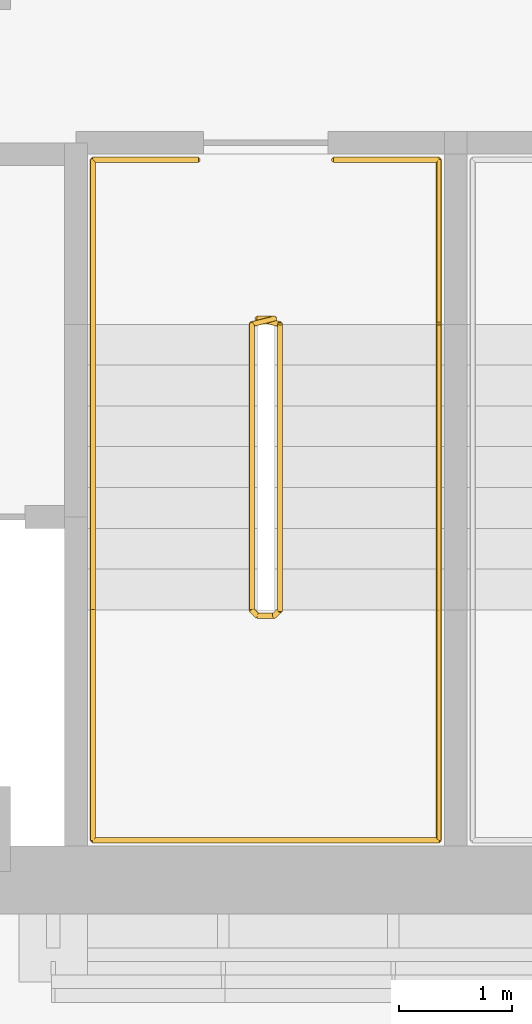
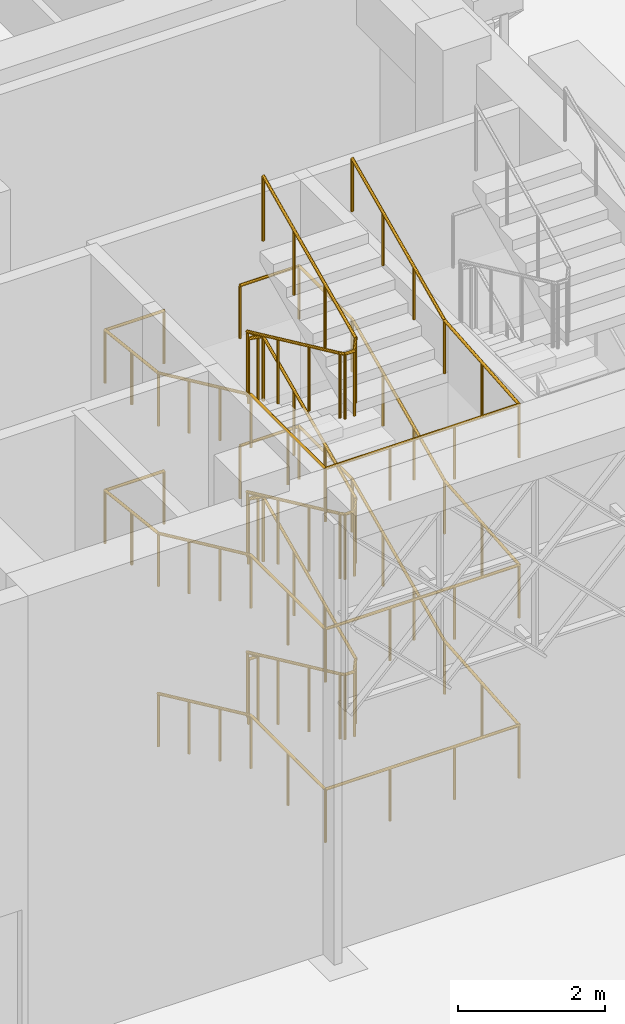
# One storey, part 48 of 64: 4 railings.
"""IFC4 building model written with IfcOpenShell, lengths in metres."""

from ifc_helpers import new_model, si_unit, direction, frame, origin, origin_2d, place, context, subcontext, project, spatial, circle, extrude, material, type_object, element, save


model = new_model("IFC4")

# Units and contexts
model_context = context("Model", 3, precision=1e-05, world=origin(), true_north=direction((0.0, 1.0)))
body_context = subcontext(model_context, "Body", "Model", "MODEL_VIEW")
ifc_project = project(units=[si_unit("LENGTHUNIT", "METRE"), si_unit("AREAUNIT", "SQUARE_METRE"), si_unit("VOLUMEUNIT", "CUBIC_METRE"), si_unit("PLANEANGLEUNIT", "RADIAN"), si_unit("MASSUNIT", "GRAM", prefix="KILO")], contexts=[model_context])

# Site, building, storey
site_placement = place(None, origin())
site = spatial("IfcSite", under=ifc_project, at=site_placement, CompositionType="ELEMENT")
building_placement = place(site_placement, origin())
building = spatial("IfcBuilding", under=site, at=building_placement, Name="Tessera Arch", CompositionType="ELEMENT")
storey_placement = place(building_placement, origin())
storey = spatial("IfcBuildingStorey", under=building, at=storey_placement, Name="L00", CompositionType="ELEMENT", Elevation=0.0)

# Railings
ifc_material_1 = material(Name="Painted steel balustrade", Category="steel")
railing_type_1 = type_object("IfcRailingType", Name="Stair guard 1100", PredefinedType="GUARDRAIL", material=ifc_material_1)
railing_1_placement = place(storey_placement, frame((8.25, -27.300048828125, 0.0)))
element("IfcRailing", 1, at=railing_1_placement, inside=storey, type_object=railing_type_1, Name="L00 M3b stair guard 1", PredefinedType="GUARDRAIL", context=body_context, shape_type="SweptSolid", body=[
    extrude(circle(Radius=0.02392578125, at=origin_2d()), frame((-0.00390625, 0.0, 1.076171875), z_axis=(1.0, 0.0, 0.0), x_axis=(0.0, 1.0, 0.0)), (0.0, 0.0, 1.0), 0.157958984375),
    extrude(circle(Radius=0.02392578125, at=origin_2d()), frame((0.15283203125, 0.000732421875, 1.073486328125), z_axis=(-0.754182335027, -0.188775798145, 0.628945707965), x_axis=(0.242814311512, -0.970072785993, 0.0)), (0.0, 0.0, 1.0), 0.273193359375),
    extrude(circle(Radius=0.02392578125, at=origin_2d()), frame((-0.050048828125, -0.04638671875, 1.2412109375), z_axis=(0.0, -0.907490492863, 0.420072619153), x_axis=(1.0, 0.0, 0.0)), (0.0, 0.0, 1.0), 2.784912109375),
    extrude(circle(Radius=0.02392578125, at=origin_2d()), frame((-0.052978515625, -2.567138671875, 2.4091796875), z_axis=(0.708833529934, -0.705375805398, 0.0), x_axis=(0.705375805398, 0.708833529934, 0.0)), (0.0, 0.0, 1.0), 0.07861328125),
    extrude(circle(Radius=0.02392578125, at=origin_2d()), frame((-0.00390625, -2.619873046875, 2.4091796875), z_axis=(1.0, 0.0, 0.0), x_axis=(0.0, 1.0, 0.0)), (0.0, 0.0, 1.0), 0.157958984375),
    extrude(circle(Radius=0.02392578125, at=origin_2d()), frame((0.148681640625, -2.62109375, 2.405517578125), z_axis=(0.276389281352, 0.275041040955, 0.920848191041), x_axis=(-0.705375805398, 0.708833529934, 0.0)), (0.0, 0.0, 1.0), 0.18896484375),
    extrude(circle(Radius=0.02392578125, at=origin_2d()), frame((0.199951171875, -2.57373046875, 2.574462890625), z_axis=(0.0, 0.907456975791, 0.420145019115), x_axis=(-1.0, 0.0, 0.0)), (0.0, 0.0, 1.0), 2.784912109375),
    extrude(circle(Radius=0.02392578125, at=origin_2d()), frame((0.203857421875, -0.051025390625, 3.74267578125), z_axis=(-0.970072785993, 0.242814311512, 0.0), x_axis=(-0.242814311512, -0.970072785993, 0.0)), (0.0, 0.0, 1.0), 0.214111328125),
    extrude(circle(Radius=0.02392578125, at=origin_2d()), frame((-0.00390625, 0.0, 3.74267578125), z_axis=(1.0, 0.0, 0.0), x_axis=(0.0, 1.0, 0.0)), (0.0, 0.0, 1.0), 0.157958984375),
    extrude(circle(Radius=0.02392578125, at=origin_2d()), frame((0.15283203125, 0.000732421875, 3.740234375), z_axis=(-0.754619193878, -0.188885146209, 0.628388632753), x_axis=(0.242814311512, -0.970072785993, 0.0)), (0.0, 0.0, 1.0), 0.27294921875),
    extrude(circle(Radius=0.02392578125, at=origin_2d()), frame((-0.050048828125, -0.04638671875, 3.90771484375), z_axis=(0.0, -0.907456975791, 0.420145019115), x_axis=(1.0, 0.0, 0.0)), (0.0, 0.0, 1.0), 2.784912109375),
    extrude(circle(Radius=0.02392578125, at=origin_2d()), frame((-0.052978515625, -2.567138671875, 5.076171875), z_axis=(0.708833529934, -0.705375805398, 0.0), x_axis=(0.705375805398, 0.708833529934, 0.0)), (0.0, 0.0, 1.0), 0.07861328125),
    extrude(circle(Radius=0.02392578125, at=origin_2d()), frame((-0.00390625, -2.619873046875, 5.076171875), z_axis=(1.0, 0.0, 0.0), x_axis=(0.0, 1.0, 0.0)), (0.0, 0.0, 1.0), 0.157958984375),
    extrude(circle(Radius=0.02392578125, at=origin_2d()), frame((0.148681640625, -2.62109375, 5.072265625), z_axis=(0.276389281352, 0.275041040955, 0.920848191041), x_axis=(-0.705375805398, 0.708833529934, 0.0)), (0.0, 0.0, 1.0), 0.18896484375),
    extrude(circle(Radius=0.02392578125, at=origin_2d()), frame((0.199951171875, -2.57373046875, 5.2412109375), z_axis=(0.0, 0.907490492863, 0.420072619153), x_axis=(-1.0, 0.0, 0.0)), (0.0, 0.0, 1.0), 2.784912109375),
    extrude(circle(Radius=0.02392578125, at=origin_2d()), frame((0.203857421875, -0.051025390625, 6.4091796875), z_axis=(-0.970072785993, 0.242814311512, 0.0), x_axis=(-0.242814311512, -0.970072785993, 0.0)), (0.0, 0.0, 1.0), 0.214111328125),
    extrude(circle(Radius=0.02392578125, at=origin_2d()), frame((-0.00390625, 0.0, 6.4091796875), z_axis=(1.0, 0.0, 0.0), x_axis=(0.0, 1.0, 0.0)), (0.0, 0.0, 1.0), 0.157958984375),
    extrude(circle(Radius=0.02392578125, at=origin_2d()), frame((0.15283203125, 0.000732421875, 6.40673828125), z_axis=(-0.754182335027, -0.188775798145, 0.628945707965), x_axis=(0.242814311512, -0.970072785993, 0.0)), (0.0, 0.0, 1.0), 0.273193359375),
    extrude(circle(Radius=0.02392578125, at=origin_2d()), frame((-0.050048828125, -0.04638671875, 6.574462890625), z_axis=(0.0, -0.907456975791, 0.420145019115), x_axis=(1.0, 0.0, 0.0)), (0.0, 0.0, 1.0), 2.784912109375),
    extrude(circle(Radius=0.02392578125, at=origin_2d()), frame((-0.052978515625, -2.567138671875, 7.74267578125), z_axis=(0.708833529934, -0.705375805398, 0.0), x_axis=(0.705375805398, 0.708833529934, 0.0)), (0.0, 0.0, 1.0), 0.07861328125),
    extrude(circle(Radius=0.02392578125, at=origin_2d()), frame((-0.00390625, -2.619873046875, 7.74267578125), z_axis=(1.0, 0.0, 0.0), x_axis=(0.0, 1.0, 0.0)), (0.0, 0.0, 1.0), 0.157958984375),
    extrude(circle(Radius=0.02392578125, at=origin_2d()), frame((0.148681640625, -2.62109375, 7.739013671875), z_axis=(0.276732813696, 0.275382897532, 0.920642824102), x_axis=(-0.705375805398, 0.708833529934, 0.0)), (0.0, 0.0, 1.0), 0.18896484375),
    extrude(circle(Radius=0.02392578125, at=origin_2d()), frame((0.199951171875, -2.57373046875, 7.90771484375), z_axis=(0.0, 0.907456975791, 0.420145019115), x_axis=(-1.0, 0.0, 0.0)), (0.0, 0.0, 1.0), 2.784912109375),
    extrude(circle(Radius=0.02099609375, at=origin_2d()), origin(), (0.0, 0.0, 1.0), 1.06396484375),
    extrude(circle(Radius=0.02099609375, at=origin_2d()), frame((0.14990234375, 0.0, 0.0)), (0.0, 0.0, 1.0), 1.06396484375),
    extrude(circle(Radius=0.02099609375, at=origin_2d()), frame((-0.050048828125, -0.050048828125, 0.166748046875)), (0.0, 0.0, 1.0), 1.06396484375),
    extrude(circle(Radius=0.02099609375, at=origin_2d()), frame((-0.050048828125, -0.89013671875, 0.5556640625)), (0.0, 0.0, 1.0), 1.06396484375),
    extrude(circle(Radius=0.02099609375, at=origin_2d()), frame((-0.050048828125, -1.72998046875, 0.9443359375)), (0.0, 0.0, 1.0), 1.06396484375),
    extrude(circle(Radius=0.02099609375, at=origin_2d()), frame((-0.050048828125, -2.570068359375, 1.333251953125)), (0.0, 0.0, 1.0), 1.06396484375),
    extrude(circle(Radius=0.02099609375, at=origin_2d()), frame((0.0, -2.619873046875, 1.333251953125)), (0.0, 0.0, 1.0), 1.06396484375),
    extrude(circle(Radius=0.02099609375, at=origin_2d()), frame((0.14990234375, -2.619873046875, 1.333251953125)), (0.0, 0.0, 1.0), 1.06396484375),
    extrude(circle(Radius=0.02099609375, at=origin_2d()), frame((0.199951171875, -2.570068359375, 1.5)), (0.0, 0.0, 1.0), 1.06396484375),
    extrude(circle(Radius=0.02099609375, at=origin_2d()), frame((0.199951171875, -1.72998046875, 1.888916015625)), (0.0, 0.0, 1.0), 1.06396484375),
    extrude(circle(Radius=0.02099609375, at=origin_2d()), frame((0.199951171875, -0.89013671875, 2.27783203125)), (0.0, 0.0, 1.0), 1.06396484375),
    extrude(circle(Radius=0.02099609375, at=origin_2d()), frame((0.199951171875, -0.050048828125, 2.666748046875)), (0.0, 0.0, 1.0), 1.06396484375),
    extrude(circle(Radius=0.02099609375, at=origin_2d()), frame((0.0, 0.0, 2.666748046875)), (0.0, 0.0, 1.0), 1.06396484375),
    extrude(circle(Radius=0.02099609375, at=origin_2d()), frame((0.14990234375, 0.0, 2.666748046875)), (0.0, 0.0, 1.0), 1.06396484375),
    extrude(circle(Radius=0.02099609375, at=origin_2d()), frame((-0.050048828125, -0.050048828125, 2.833251953125)), (0.0, 0.0, 1.0), 1.06396484375),
    extrude(circle(Radius=0.02099609375, at=origin_2d()), frame((-0.050048828125, -0.89013671875, 3.22216796875)), (0.0, 0.0, 1.0), 1.06396484375),
    extrude(circle(Radius=0.02099609375, at=origin_2d()), frame((-0.050048828125, -1.72998046875, 3.611083984375)), (0.0, 0.0, 1.0), 1.06396484375),
    extrude(circle(Radius=0.02099609375, at=origin_2d()), frame((-0.050048828125, -2.570068359375, 4.0)), (0.0, 0.0, 1.0), 1.06396484375),
    extrude(circle(Radius=0.02099609375, at=origin_2d()), frame((0.0, -2.619873046875, 4.0)), (0.0, 0.0, 1.0), 1.06396484375),
    extrude(circle(Radius=0.02099609375, at=origin_2d()), frame((0.14990234375, -2.619873046875, 4.0)), (0.0, 0.0, 1.0), 1.06396484375),
    extrude(circle(Radius=0.02099609375, at=origin_2d()), frame((0.199951171875, -2.570068359375, 4.166748046875)), (0.0, 0.0, 1.0), 1.06396484375),
    extrude(circle(Radius=0.02099609375, at=origin_2d()), frame((0.199951171875, -1.72998046875, 4.5556640625)), (0.0, 0.0, 1.0), 1.06396484375),
    extrude(circle(Radius=0.02099609375, at=origin_2d()), frame((0.199951171875, -0.89013671875, 4.9443359375)), (0.0, 0.0, 1.0), 1.06396484375),
    extrude(circle(Radius=0.02099609375, at=origin_2d()), frame((0.199951171875, -0.050048828125, 5.333251953125)), (0.0, 0.0, 1.0), 1.06396484375),
    extrude(circle(Radius=0.02099609375, at=origin_2d()), frame((0.0, 0.0, 5.333251953125)), (0.0, 0.0, 1.0), 1.06396484375),
    extrude(circle(Radius=0.02099609375, at=origin_2d()), frame((0.14990234375, 0.0, 5.333251953125)), (0.0, 0.0, 1.0), 1.06396484375),
    extrude(circle(Radius=0.02099609375, at=origin_2d()), frame((-0.050048828125, -0.050048828125, 5.5)), (0.0, 0.0, 1.0), 1.06396484375),
    extrude(circle(Radius=0.02099609375, at=origin_2d()), frame((-0.050048828125, -0.89013671875, 5.888916015625)), (0.0, 0.0, 1.0), 1.06396484375),
    extrude(circle(Radius=0.02099609375, at=origin_2d()), frame((-0.050048828125, -1.72998046875, 6.27783203125)), (0.0, 0.0, 1.0), 1.06396484375),
    extrude(circle(Radius=0.02099609375, at=origin_2d()), frame((-0.050048828125, -2.570068359375, 6.666748046875)), (0.0, 0.0, 1.0), 1.06396484375),
    extrude(circle(Radius=0.02099609375, at=origin_2d()), frame((0.0, -2.619873046875, 6.666748046875)), (0.0, 0.0, 1.0), 1.06396484375),
    extrude(circle(Radius=0.02099609375, at=origin_2d()), frame((0.14990234375, -2.619873046875, 6.666748046875)), (0.0, 0.0, 1.0), 1.06396484375),
    extrude(circle(Radius=0.02099609375, at=origin_2d()), frame((0.199951171875, -2.570068359375, 6.833251953125)), (0.0, 0.0, 1.0), 1.06396484375),
    extrude(circle(Radius=0.02099609375, at=origin_2d()), frame((0.199951171875, -1.72998046875, 7.22216796875)), (0.0, 0.0, 1.0), 1.06396484375),
    extrude(circle(Radius=0.02099609375, at=origin_2d()), frame((0.199951171875, -0.89013671875, 7.611083984375)), (0.0, 0.0, 1.0), 1.06396484375),
    extrude(circle(Radius=0.02099609375, at=origin_2d()), frame((0.199951171875, -0.050048828125, 8.0)), (0.0, 0.0, 1.0), 1.06396484375),
])
ifc_material_2 = material(Name="Painted steel handrail", Category="steel")
railing_type_2 = type_object("IfcRailingType", Name="Stair handrail 900", PredefinedType="HANDRAIL", material=ifc_material_2)
railing_2_placement = place(storey_placement, frame((6.800048828125, -27.35009765625, 0.166748046875)))
element("IfcRailing", 2, at=railing_2_placement, inside=storey, type_object=railing_type_2, Name="L00 M3b stair handrail", PredefinedType="HANDRAIL", context=body_context, shape_type="SweptSolid", body=[
    extrude(circle(Radius=0.02392578125, at=origin_2d()), frame((0.0, 0.003662109375, 0.874267578125), z_axis=(0.0, -0.907490492863, 0.420072619153), x_axis=(1.0, 0.0, 0.0)), (0.0, 0.0, 1.0), 2.784912109375),
    extrude(circle(Radius=0.02392578125, at=origin_2d()), frame((0.0, -2.51611328125, 2.04248046875), z_axis=(0.0, -1.0, 0.0), x_axis=(1.0, 0.0, 0.0)), (0.0, 0.0, 1.0), 2.037841796875),
    extrude(circle(Radius=0.02392578125, at=origin_2d()), frame((-0.00390625, -4.5498046875, 2.04248046875), z_axis=(1.0, 0.0, 0.0), x_axis=(0.0, 1.0, 0.0)), (0.0, 0.0, 1.0), 3.05810546875),
    extrude(circle(Radius=0.02392578125, at=origin_2d()), frame((3.050048828125, -4.5537109375, 2.0419921875), z_axis=(0.0, 0.996642624298, 0.081874778975), x_axis=(-1.0, 0.0, 0.0)), (0.0, 0.0, 1.0), 2.044677734375),
    extrude(circle(Radius=0.02392578125, at=origin_2d()), frame((3.050048828125, -2.523681640625, 2.20751953125), z_axis=(0.0, 0.907456975791, 0.420145019115), x_axis=(-1.0, 0.0, 0.0)), (0.0, 0.0, 1.0), 2.784912109375),
    extrude(circle(Radius=0.02392578125, at=origin_2d()), frame((3.050048828125, -0.00390625, 3.3759765625), z_axis=(0.0, 1.0, 0.0), x_axis=(-1.0, 0.0, 0.0)), (0.0, 0.0, 1.0), 1.458251953125),
    extrude(circle(Radius=0.02392578125, at=origin_2d()), frame((3.053955078125, 1.4501953125, 3.3759765625), z_axis=(-1.0, 0.0, 0.0), x_axis=(0.0, -1.0, 0.0)), (0.0, 0.0, 1.0), 0.93310546875),
    extrude(circle(Radius=0.02099609375, at=origin_2d()), origin(), (0.0, 0.0, 1.0), 0.86376953125),
    extrude(circle(Radius=0.02099609375, at=origin_2d()), frame((0.0, -0.840087890625, 0.388916015625)), (0.0, 0.0, 1.0), 0.86376953125),
    extrude(circle(Radius=0.02099609375, at=origin_2d()), frame((0.0, -1.679931640625, 0.777587890625)), (0.0, 0.0, 1.0), 0.86376953125),
    extrude(circle(Radius=0.02099609375, at=origin_2d()), frame((0.0, -2.52001953125, 1.16650390625)), (0.0, 0.0, 1.0), 0.86376953125),
    extrude(circle(Radius=0.02099609375, at=origin_2d()), frame((0.0, -3.534912109375, 1.16650390625)), (0.0, 0.0, 1.0), 0.86376953125),
    extrude(circle(Radius=0.02099609375, at=origin_2d()), frame((0.0, -4.5498046875, 1.16650390625)), (0.0, 0.0, 1.0), 0.86376953125),
    extrude(circle(Radius=0.02099609375, at=origin_2d()), frame((1.0166015625, -4.5498046875, 1.16650390625)), (0.0, 0.0, 1.0), 0.86376953125),
    extrude(circle(Radius=0.02099609375, at=origin_2d()), frame((2.033447265625, -4.5498046875, 1.16650390625)), (0.0, 0.0, 1.0), 0.86376953125),
    extrude(circle(Radius=0.02099609375, at=origin_2d()), frame((3.050048828125, -4.5498046875, 1.16650390625)), (0.0, 0.0, 1.0), 0.86376953125),
    extrude(circle(Radius=0.02099609375, at=origin_2d()), frame((3.050048828125, -3.534912109375, 1.25)), (0.0, 0.0, 1.0), 0.86376953125),
    extrude(circle(Radius=0.02099609375, at=origin_2d()), frame((3.050048828125, -2.52001953125, 1.333251953125)), (0.0, 0.0, 1.0), 0.86376953125),
    extrude(circle(Radius=0.02099609375, at=origin_2d()), frame((3.050048828125, -1.679931640625, 1.72216796875)), (0.0, 0.0, 1.0), 0.86376953125),
    extrude(circle(Radius=0.02099609375, at=origin_2d()), frame((3.050048828125, -0.840087890625, 2.111083984375)), (0.0, 0.0, 1.0), 0.86376953125),
    extrude(circle(Radius=0.02099609375, at=origin_2d()), frame((3.050048828125, 0.0, 2.5)), (0.0, 0.0, 1.0), 0.86376953125),
    extrude(circle(Radius=0.02099609375, at=origin_2d()), frame((3.050048828125, 0.72509765625, 2.5)), (0.0, 0.0, 1.0), 0.86376953125),
    extrude(circle(Radius=0.02099609375, at=origin_2d()), frame((3.050048828125, 1.4501953125, 2.5)), (0.0, 0.0, 1.0), 0.86376953125),
    extrude(circle(Radius=0.02099609375, at=origin_2d()), frame((2.125, 1.4501953125, 2.5)), (0.0, 0.0, 1.0), 0.86376953125),
])
railing_3_placement = place(storey_placement, frame((7.72509765625, -25.89990234375, 2.666748046875)))
element("IfcRailing", 3, at=railing_3_placement, inside=storey, type_object=railing_type_2, Name="L00 M3b stair handrail 2", PredefinedType="HANDRAIL", context=body_context, shape_type="SweptSolid", body=[
    extrude(circle(Radius=0.02392578125, at=origin_2d()), frame((0.00390625, 0.0, 0.8759765625), z_axis=(-1.0, 0.0, 0.0), x_axis=(0.0, -1.0, 0.0)), (0.0, 0.0, 1.0), 0.93310546875),
    extrude(circle(Radius=0.02392578125, at=origin_2d()), frame((-0.925048828125, 0.00390625, 0.87548828125), z_axis=(0.0, -0.993473237723, 0.114065445813), x_axis=(1.0, 0.0, 0.0)), (0.0, 0.0, 1.0), 1.4677734375),
    extrude(circle(Radius=0.02392578125, at=origin_2d()), frame((-0.925048828125, -1.446533203125, 1.040771484375), z_axis=(0.0, -0.907456975791, 0.420145019115), x_axis=(1.0, 0.0, 0.0)), (0.0, 0.0, 1.0), 2.784912109375),
    extrude(circle(Radius=0.02392578125, at=origin_2d()), frame((-0.925048828125, -3.96630859375, 2.208984375), z_axis=(0.0, -1.0, 0.0), x_axis=(1.0, 0.0, 0.0)), (0.0, 0.0, 1.0), 2.037841796875),
    extrude(circle(Radius=0.02392578125, at=origin_2d()), frame((-0.928955078125, -6.0, 2.208984375), z_axis=(1.0, 0.0, 0.0), x_axis=(0.0, 1.0, 0.0)), (0.0, 0.0, 1.0), 3.05810546875),
    extrude(circle(Radius=0.02392578125, at=origin_2d()), frame((2.125, -6.00390625, 2.208740234375), z_axis=(0.0, 0.996642624298, 0.081874778975), x_axis=(-1.0, 0.0, 0.0)), (0.0, 0.0, 1.0), 2.044677734375),
    extrude(circle(Radius=0.02392578125, at=origin_2d()), frame((2.125, -3.973876953125, 2.374267578125), z_axis=(0.0, 0.907490492863, 0.420072619153), x_axis=(-1.0, 0.0, 0.0)), (0.0, 0.0, 1.0), 2.784912109375),
    extrude(circle(Radius=0.02392578125, at=origin_2d()), frame((2.125, -1.4541015625, 3.54248046875), z_axis=(0.0, 1.0, 0.0), x_axis=(-1.0, 0.0, 0.0)), (0.0, 0.0, 1.0), 1.458251953125),
    extrude(circle(Radius=0.02392578125, at=origin_2d()), frame((2.12890625, 0.0, 3.54248046875), z_axis=(-1.0, 0.0, 0.0), x_axis=(0.0, -1.0, 0.0)), (0.0, 0.0, 1.0), 0.93310546875),
    extrude(circle(Radius=0.02099609375, at=origin_2d()), origin(), (0.0, 0.0, 1.0), 0.86376953125),
    extrude(circle(Radius=0.02099609375, at=origin_2d()), frame((-0.925048828125, 0.0, 0.0)), (0.0, 0.0, 1.0), 0.86376953125),
    extrude(circle(Radius=0.02099609375, at=origin_2d()), frame((-0.925048828125, -0.72509765625, 0.083251953125)), (0.0, 0.0, 1.0), 0.86376953125),
    extrude(circle(Radius=0.02099609375, at=origin_2d()), frame((-0.925048828125, -1.4501953125, 0.16650390625)), (0.0, 0.0, 1.0), 0.86376953125),
    extrude(circle(Radius=0.02099609375, at=origin_2d()), frame((-0.925048828125, -2.290283203125, 0.555419921875)), (0.0, 0.0, 1.0), 0.86376953125),
    extrude(circle(Radius=0.02099609375, at=origin_2d()), frame((-0.925048828125, -3.130126953125, 0.9443359375)), (0.0, 0.0, 1.0), 0.86376953125),
    extrude(circle(Radius=0.02099609375, at=origin_2d()), frame((-0.925048828125, -3.97021484375, 1.333251953125)), (0.0, 0.0, 1.0), 0.86376953125),
    extrude(circle(Radius=0.02099609375, at=origin_2d()), frame((-0.925048828125, -4.985107421875, 1.333251953125)), (0.0, 0.0, 1.0), 0.86376953125),
    extrude(circle(Radius=0.02099609375, at=origin_2d()), frame((-0.925048828125, -6.0, 1.333251953125)), (0.0, 0.0, 1.0), 0.86376953125),
    extrude(circle(Radius=0.02099609375, at=origin_2d()), frame((0.091552734375, -6.0, 1.333251953125)), (0.0, 0.0, 1.0), 0.86376953125),
    extrude(circle(Radius=0.02099609375, at=origin_2d()), frame((1.1083984375, -6.0, 1.333251953125)), (0.0, 0.0, 1.0), 0.86376953125),
    extrude(circle(Radius=0.02099609375, at=origin_2d()), frame((2.125, -6.0, 1.333251953125)), (0.0, 0.0, 1.0), 0.86376953125),
    extrude(circle(Radius=0.02099609375, at=origin_2d()), frame((2.125, -4.985107421875, 1.41650390625)), (0.0, 0.0, 1.0), 0.86376953125),
    extrude(circle(Radius=0.02099609375, at=origin_2d()), frame((2.125, -3.97021484375, 1.5)), (0.0, 0.0, 1.0), 0.86376953125),
    extrude(circle(Radius=0.02099609375, at=origin_2d()), frame((2.125, -3.130126953125, 1.888916015625)), (0.0, 0.0, 1.0), 0.86376953125),
    extrude(circle(Radius=0.02099609375, at=origin_2d()), frame((2.125, -2.290283203125, 2.277587890625)), (0.0, 0.0, 1.0), 0.86376953125),
    extrude(circle(Radius=0.02099609375, at=origin_2d()), frame((2.125, -1.4501953125, 2.66650390625)), (0.0, 0.0, 1.0), 0.86376953125),
    extrude(circle(Radius=0.02099609375, at=origin_2d()), frame((2.125, -0.72509765625, 2.66650390625)), (0.0, 0.0, 1.0), 0.86376953125),
    extrude(circle(Radius=0.02099609375, at=origin_2d()), frame((2.125, 0.0, 2.66650390625)), (0.0, 0.0, 1.0), 0.86376953125),
    extrude(circle(Radius=0.02099609375, at=origin_2d()), frame((1.199951171875, 0.0, 2.66650390625)), (0.0, 0.0, 1.0), 0.86376953125),
])
railing_4_placement = place(storey_placement, frame((7.72509765625, -25.89990234375, 5.333251953125)))
element("IfcRailing", 4, at=railing_4_placement, inside=storey, type_object=railing_type_2, Name="L00 M3b stair handrail 3", PredefinedType="HANDRAIL", context=body_context, shape_type="SweptSolid", body=[
    extrude(circle(Radius=0.02392578125, at=origin_2d()), frame((0.00390625, 0.0, 0.8759765625), z_axis=(-1.0, 0.0, 0.0), x_axis=(0.0, -1.0, 0.0)), (0.0, 0.0, 1.0), 0.93310546875),
    extrude(circle(Radius=0.02392578125, at=origin_2d()), frame((-0.925048828125, 0.00390625, 0.87548828125), z_axis=(0.0, -0.993454271282, 0.114230516378), x_axis=(1.0, 0.0, 0.0)), (0.0, 0.0, 1.0), 1.4677734375),
    extrude(circle(Radius=0.02392578125, at=origin_2d()), frame((-0.925048828125, -1.446533203125, 1.041015625), z_axis=(0.0, -0.907456975791, 0.420145019115), x_axis=(1.0, 0.0, 0.0)), (0.0, 0.0, 1.0), 2.784912109375),
    extrude(circle(Radius=0.02392578125, at=origin_2d()), frame((-0.925048828125, -3.96630859375, 2.20947265625), z_axis=(0.0, -1.0, 0.0), x_axis=(1.0, 0.0, 0.0)), (0.0, 0.0, 1.0), 2.037841796875),
    extrude(circle(Radius=0.02392578125, at=origin_2d()), frame((-0.928955078125, -6.0, 2.20947265625), z_axis=(1.0, 0.0, 0.0), x_axis=(0.0, 1.0, 0.0)), (0.0, 0.0, 1.0), 3.05810546875),
    extrude(circle(Radius=0.02392578125, at=origin_2d()), frame((2.125, -6.00390625, 2.208984375), z_axis=(0.0, 0.996652399087, 0.081755705578), x_axis=(-1.0, 0.0, 0.0)), (0.0, 0.0, 1.0), 2.044677734375),
    extrude(circle(Radius=0.02392578125, at=origin_2d()), frame((2.125, -3.973876953125, 2.374267578125), z_axis=(0.0, 0.907456975791, 0.420145019115), x_axis=(-1.0, 0.0, 0.0)), (0.0, 0.0, 1.0), 2.784912109375),
    extrude(circle(Radius=0.02099609375, at=origin_2d()), origin(), (0.0, 0.0, 1.0), 0.86376953125),
    extrude(circle(Radius=0.02099609375, at=origin_2d()), frame((-0.925048828125, 0.0, 0.0)), (0.0, 0.0, 1.0), 0.86376953125),
    extrude(circle(Radius=0.02099609375, at=origin_2d()), frame((-0.925048828125, -0.72509765625, 0.08349609375)), (0.0, 0.0, 1.0), 0.86376953125),
    extrude(circle(Radius=0.02099609375, at=origin_2d()), frame((-0.925048828125, -1.4501953125, 0.166748046875)), (0.0, 0.0, 1.0), 0.86376953125),
    extrude(circle(Radius=0.02099609375, at=origin_2d()), frame((-0.925048828125, -2.290283203125, 0.5556640625)), (0.0, 0.0, 1.0), 0.86376953125),
    extrude(circle(Radius=0.02099609375, at=origin_2d()), frame((-0.925048828125, -3.130126953125, 0.944580078125)), (0.0, 0.0, 1.0), 0.86376953125),
    extrude(circle(Radius=0.02099609375, at=origin_2d()), frame((-0.925048828125, -3.97021484375, 1.33349609375)), (0.0, 0.0, 1.0), 0.86376953125),
    extrude(circle(Radius=0.02099609375, at=origin_2d()), frame((-0.925048828125, -4.985107421875, 1.33349609375)), (0.0, 0.0, 1.0), 0.86376953125),
    extrude(circle(Radius=0.02099609375, at=origin_2d()), frame((-0.925048828125, -6.0, 1.33349609375)), (0.0, 0.0, 1.0), 0.86376953125),
    extrude(circle(Radius=0.02099609375, at=origin_2d()), frame((0.091552734375, -6.0, 1.33349609375)), (0.0, 0.0, 1.0), 0.86376953125),
    extrude(circle(Radius=0.02099609375, at=origin_2d()), frame((1.1083984375, -6.0, 1.33349609375)), (0.0, 0.0, 1.0), 0.86376953125),
    extrude(circle(Radius=0.02099609375, at=origin_2d()), frame((2.125, -6.0, 1.33349609375)), (0.0, 0.0, 1.0), 0.86376953125),
    extrude(circle(Radius=0.02099609375, at=origin_2d()), frame((2.125, -4.985107421875, 1.416748046875)), (0.0, 0.0, 1.0), 0.86376953125),
    extrude(circle(Radius=0.02099609375, at=origin_2d()), frame((2.125, -3.97021484375, 1.5)), (0.0, 0.0, 1.0), 0.86376953125),
    extrude(circle(Radius=0.02099609375, at=origin_2d()), frame((2.125, -3.130126953125, 1.888916015625)), (0.0, 0.0, 1.0), 0.86376953125),
    extrude(circle(Radius=0.02099609375, at=origin_2d()), frame((2.125, -2.290283203125, 2.27783203125)), (0.0, 0.0, 1.0), 0.86376953125),
    extrude(circle(Radius=0.02099609375, at=origin_2d()), frame((2.125, -1.4501953125, 2.666748046875)), (0.0, 0.0, 1.0), 0.86376953125),
])

save(model, "model.ifc")
